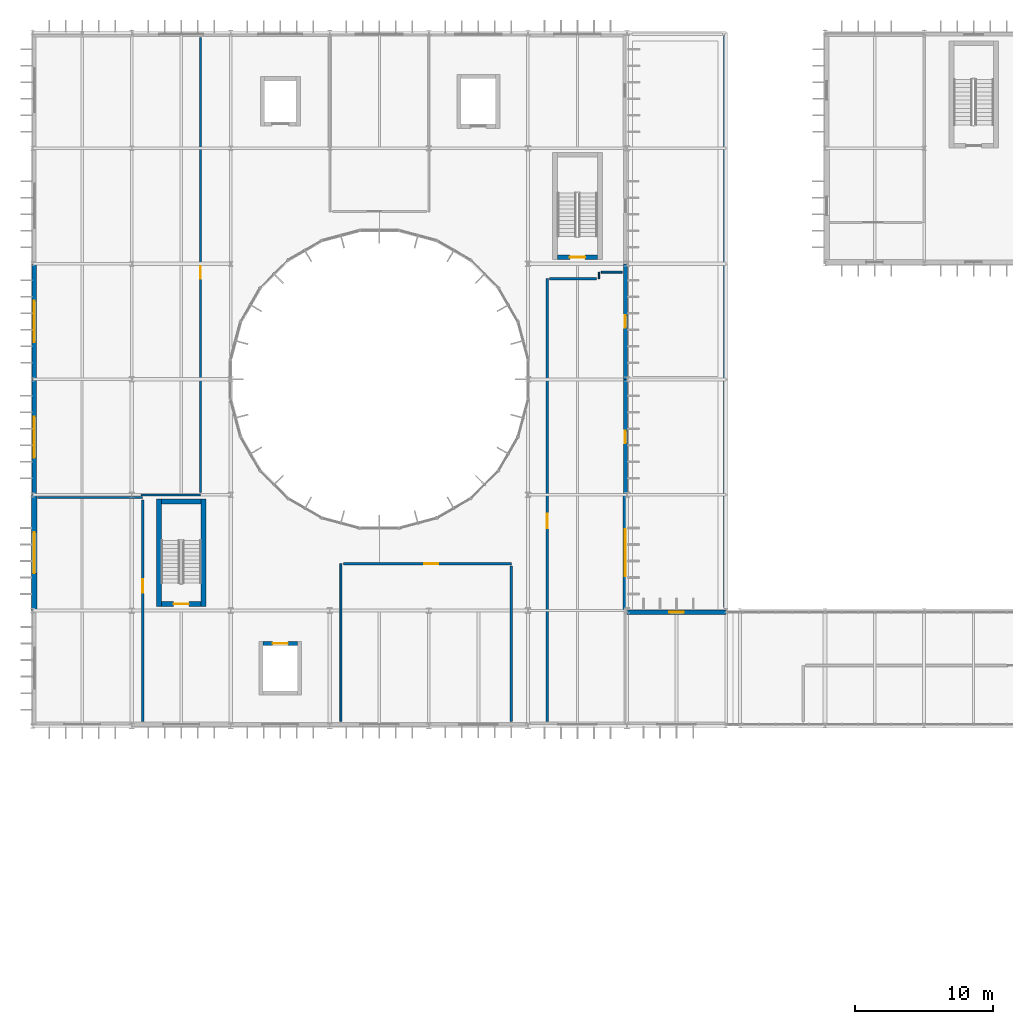
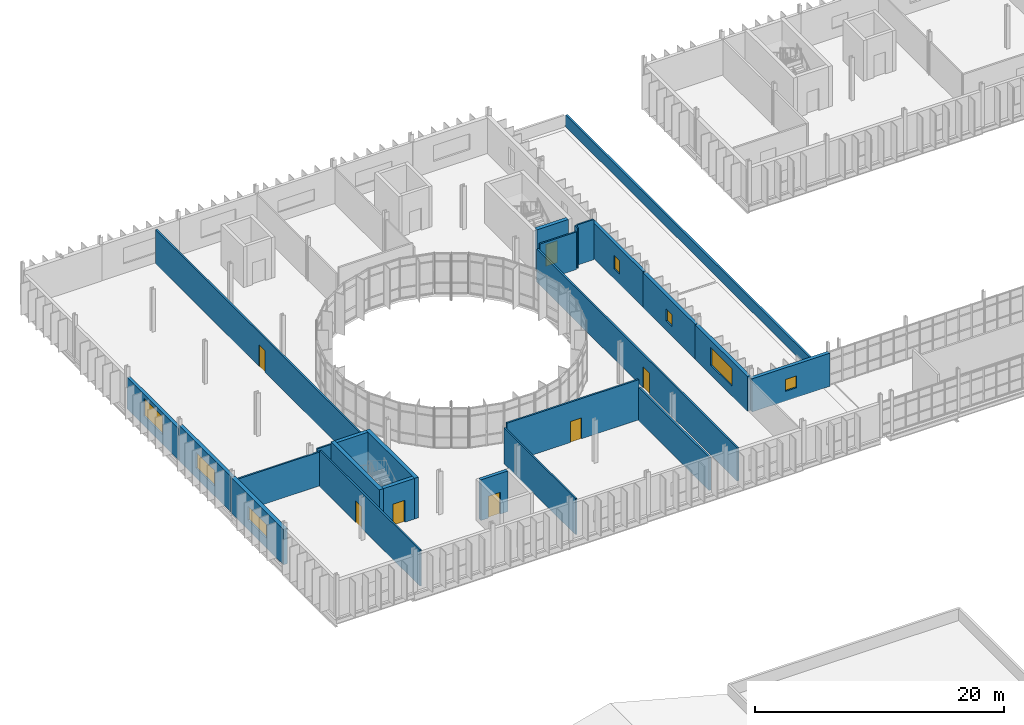
# One storey, part 79 of 99: 25 walls, 7 doors, 7 windows, 14 openings.
"""IFC4 building model written with IfcOpenShell, lengths in metres."""

from ifc_helpers import new_model, si_unit, direction, frame, frame_2d, origin, place, context, subcontext, project, spatial, rectangle, extrude, material, layer, layer_set, type_object, element, fill, save


model = new_model("IFC4")

# Units and contexts
model_context = context("Model", 3, precision=1e-05, world=origin(), true_north=direction((0.0, 1.0)))
body_context = subcontext(model_context, "Body", "Model", "MODEL_VIEW")
ifc_project = project(units=[si_unit("LENGTHUNIT", "METRE"), si_unit("AREAUNIT", "SQUARE_METRE"), si_unit("VOLUMEUNIT", "CUBIC_METRE"), si_unit("PLANEANGLEUNIT", "RADIAN"), si_unit("MASSUNIT", "GRAM", prefix="KILO")], contexts=[model_context])

# Site, building, storey
site_placement = place(None, origin())
site = spatial("IfcSite", under=ifc_project, at=site_placement, CompositionType="ELEMENT")
building_placement = place(site_placement, origin())
building = spatial("IfcBuilding", under=site, at=building_placement, Name="Qelthora Terrace Specialist Clinic", CompositionType="ELEMENT")
storey_placement = place(building_placement, frame((0.0, 0.0, 9.0)))
storey = spatial("IfcBuildingStorey", under=building, at=storey_placement, Name="L02", CompositionType="ELEMENT", Elevation=9.0)

# Wall, opening, door
ifc_material_1 = material(Name="Concrete C40/50", Category="concrete")
ifc_layer_1 = layer(ifc_material_1, 0.300048828125)
ifc_layer_set_1 = layer_set([ifc_layer_1], Name="Concrete C40/50")
wall_type_1 = type_object("IfcWallType", Name="WAL-CORE-300-C40", PredefinedType="SHEAR", material=ifc_layer_set_1)
wall_1_placement = place(storey_placement, frame((16.75, 64.800048828125, 0.0), z_axis=(0.0, 0.0, 1.0), x_axis=(1.0, 0.0, 0.0)))
wall_1 = element("IfcWall", 1, at=wall_1_placement, inside=storey, type_object=wall_type_1, Name="Lift SL-01 L02 north shaft wall", PredefinedType="SHEAR", context=body_context, shape_type="SweptSolid", body=[
    extrude(rectangle(XDim=2.5, YDim=0.300048828125, at=frame_2d((1.25, 0.0))), origin(), (0.0, 0.0, 1.0), 3.989990234375),
])
opening_1_placement = place(wall_1_placement, frame((0.699951171875, 0.0, 0.0)))
opening_1 = element("IfcOpeningElement", 2, at=opening_1_placement, cuts=wall_1, Name="Opening LD-SL-01-L02", PredefinedType="OPENING", context=body_context, shape_type="SweptSolid", body=[
    extrude(rectangle(XDim=1.10009765625, YDim=2.14990234375, at=frame_2d((0.550048828125, 1.074951171875))), frame((0.0, 0.159912109375, 0.0), z_axis=(0.0, -1.0, 0.0), x_axis=(1.0, 0.0, 0.0)), (0.0, 0.0, 1.0), 0.320068359375),
])
ifc_material_2 = material(Name="Steel S355", Category="steel")
door_type_1 = type_object("IfcDoorType", Name="DOR-LIFT-1100X2150", OperationType="NOTDEFINED", PredefinedType="DOOR", material=ifc_material_2)
door_1_placement = place(opening_1_placement, origin())
door_1 = element("IfcDoor", 3, at=door_1_placement, inside=storey, type_object=door_type_1, Name="Lift landing sliding door LD-SL-01-L02", OperationType="DOUBLE_DOOR_SLIDING", OverallHeight=2.14990234375, OverallWidth=1.10009765625, PredefinedType="DOOR", context=body_context, shape_type="SweptSolid", body=[
    extrude(rectangle(XDim=1.10009765625, YDim=2.14990234375, at=frame_2d((0.550048828125, 1.074951171875))), frame((0.0, 0.02490234375, 0.0), z_axis=(0.0, -1.0, 0.0), x_axis=(1.0, 0.0, 0.0)), (0.0, 0.0, 1.0), 0.050048828125),
])
fill(opening_1, door_1)

# Walls
ifc_layer_2 = layer(ifc_material_1, 0.35009765625)
ifc_layer_set_2 = layer_set([ifc_layer_2], Name="Concrete C40/50")
wall_type_2 = type_object("IfcWallType", Name="WAL-CORE-350-C40", PredefinedType="SHEAR", material=ifc_layer_set_2)
for number, where, z_axis, x_axis, name in (
    (4, (9.175048828125, 67.5, 0.0), (0.0, 0.0, 1.0), (0.0, 1.0, 0.0), "ST-01 L02 west shear core wall"),
    (5, (12.425048828125, 67.5, 0.0), (0.0, 0.0, 1.0), (0.0, 1.0, 0.0), "ST-01 L02 east shear core wall"),
):
    element("IfcWall", number, at=place(storey_placement, frame(where, z_axis=z_axis, x_axis=x_axis)), inside=storey, type_object=wall_type_2, Name=name, PredefinedType="SHEAR", context=body_context, shape_type="SweptSolid", body=[
        extrude(rectangle(XDim=7.800048828125, YDim=0.35009765625, at=frame_2d((3.89990234375, 0.0))), origin(), (0.0, 0.0, 1.0), 3.989990234375),
    ])
wall_2_placement = place(storey_placement, frame((9.35009765625, 75.125, 0.0), z_axis=(0.0, 0.0, 1.0), x_axis=(1.0, 0.0, 0.0)))
element("IfcWall", 6, at=wall_2_placement, inside=storey, type_object=wall_type_2, Name="ST-01 L02 north shear core wall", PredefinedType="SHEAR", context=body_context, shape_type="SweptSolid", body=[
    extrude(rectangle(XDim=2.89990234375, YDim=0.35009765625, at=frame_2d((1.449951171875, 0.0))), origin(), (0.0, 0.0, 1.0), 3.989990234375),
])

# Wall, opening, door
wall_3_placement = place(storey_placement, frame((9.35009765625, 67.675048828125, 0.0), z_axis=(0.0, 0.0, 1.0), x_axis=(1.0, 0.0, 0.0)))
wall_3 = element("IfcWall", 7, at=wall_3_placement, inside=storey, type_object=wall_type_2, Name="ST-01 L02 south shear core wall", PredefinedType="SHEAR", context=body_context, shape_type="SweptSolid", body=[
    extrude(rectangle(XDim=2.89990234375, YDim=0.35009765625, at=frame_2d((1.449951171875, 0.0))), origin(), (0.0, 0.0, 1.0), 3.989990234375),
])
opening_2_placement = place(wall_3_placement, frame((0.89990234375, 0.0, 0.0)))
opening_2 = element("IfcOpeningElement", 8, at=opening_2_placement, cuts=wall_3, Name="Opening D-ST-01-L02", PredefinedType="OPENING", context=body_context, shape_type="SweptSolid", body=[
    extrude(rectangle(XDim=1.10009765625, YDim=2.14990234375, at=frame_2d((0.550048828125, 1.074951171875))), frame((0.0, 0.18505859375, 0.0), z_axis=(0.0, -1.0, 0.0), x_axis=(1.0, 0.0, 0.0)), (0.0, 0.0, 1.0), 0.3701171875),
])
door_type_2 = type_object("IfcDoorType", Name="DOR-STAIR-1100X2150", OperationType="NOTDEFINED", PredefinedType="DOOR", material=ifc_material_2)
door_2_placement = place(opening_2_placement, origin())
door_2 = element("IfcDoor", 9, at=door_2_placement, inside=storey, type_object=door_type_2, Name="Stair fire door D-ST-01-L02", OperationType="SINGLE_SWING_LEFT", OverallHeight=2.14990234375, OverallWidth=1.10009765625, PredefinedType="DOOR", context=body_context, shape_type="SweptSolid", body=[
    extrude(rectangle(XDim=1.10009765625, YDim=2.14990234375, at=frame_2d((0.550048828125, 1.074951171875))), frame((0.0, 0.02490234375, 0.0), z_axis=(0.0, -1.0, 0.0), x_axis=(1.0, 0.0, 0.0)), (0.0, 0.0, 1.0), 0.050048828125),
])
fill(opening_2, door_2)

wall_4_placement = place(storey_placement, frame((38.14990234375, 92.875, 0.0), z_axis=(0.0, 0.0, 1.0), x_axis=(1.0, 0.0, 0.0)))
wall_4 = element("IfcWall", 10, at=wall_4_placement, inside=storey, type_object=wall_type_2, Name="ST-02 L02 south shear core wall", PredefinedType="SHEAR", context=body_context, shape_type="SweptSolid", body=[
    extrude(rectangle(XDim=2.900146484375, YDim=0.35009765625, at=frame_2d((1.4501953125, 0.0))), origin(), (0.0, 0.0, 1.0), 3.989990234375),
])
opening_3_placement = place(wall_4_placement, frame((0.89990234375, 0.0, 0.0)))
opening_3 = element("IfcOpeningElement", 11, at=opening_3_placement, cuts=wall_4, Name="Opening D-ST-02-L02", PredefinedType="OPENING", context=body_context, shape_type="SweptSolid", body=[
    extrude(rectangle(XDim=1.10009765625, YDim=2.14990234375, at=frame_2d((0.550048828125, 1.074951171875))), frame((0.0, 0.18505859375, 0.0), z_axis=(0.0, -1.0, 0.0), x_axis=(1.0, 0.0, 0.0)), (0.0, 0.0, 1.0), 0.3701171875),
])
door_3_placement = place(opening_3_placement, origin())
door_3 = element("IfcDoor", 12, at=door_3_placement, inside=storey, type_object=door_type_2, Name="Stair fire door D-ST-02-L02", OperationType="SINGLE_SWING_RIGHT", OverallHeight=2.14990234375, OverallWidth=1.10009765625, PredefinedType="DOOR", context=body_context, shape_type="SweptSolid", body=[
    extrude(rectangle(XDim=1.10009765625, YDim=2.14990234375, at=frame_2d((0.550048828125, 1.074951171875))), frame((0.0, 0.02490234375, 0.0), z_axis=(0.0, -1.0, 0.0), x_axis=(1.0, 0.0, 0.0)), (0.0, 0.0, 1.0), 0.050048828125),
])
fill(opening_3, door_3)

# Wall, opening, window
ifc_material_3 = material(Name="Precast concrete C40/50", Category="concrete")
ifc_layer_3 = layer(ifc_material_3, 0.280029296875)
ifc_layer_set_3 = layer_set([ifc_layer_3], Name="Precast concrete C40/50")
wall_type_3 = type_object("IfcWallType", Name="WAL-EXT-280-PC40", PredefinedType="SOLIDWALL", material=ifc_layer_set_3)
wall_5_placement = place(storey_placement, frame((43.080078125, 84.0, 0.0), z_axis=(0.0, 0.0, 1.0), x_axis=(0.0, 1.0, 0.0)))
wall_5 = element("IfcWall", 13, at=wall_5_placement, inside=storey, type_object=wall_type_3, Name="L02 external precast wall 223", PredefinedType="SOLIDWALL", context=body_context, shape_type="SweptSolid", body=[
    extrude(rectangle(XDim=8.39990234375, YDim=0.280029296875, at=frame_2d((4.199951171875, 0.0))), origin(), (0.0, 0.0, 1.0), 3.47607421875),
])
opening_4_placement = place(wall_5_placement, frame((3.75, 0.0, 0.949951171875)))
opening_4 = element("IfcOpeningElement", 14, at=opening_4_placement, cuts=wall_5, Name="Opening WN-L02-190", PredefinedType="OPENING", context=body_context, shape_type="SweptSolid", body=[
    extrude(rectangle(XDim=0.89990234375, YDim=1.35009765625, at=frame_2d((0.449951171875, 0.675048828125))), frame((0.0, 0.14990234375, 0.0), z_axis=(0.0, -1.0, 0.0), x_axis=(1.0, 0.0, 0.0)), (0.0, 0.0, 1.0), 0.300048828125),
])
ifc_material_4 = material(Name="Low-E triple-silver insulating glass", Category="glass")
window_type_1 = type_object("IfcWindowType", Name="WIN-900X1350", PartitioningType="SINGLE_PANEL", PredefinedType="WINDOW", material=ifc_material_4)
window_1_placement = place(opening_4_placement, origin())
window_1 = element("IfcWindow", 15, at=window_1_placement, inside=storey, type_object=window_type_1, Name="Clinical window WN-L02-190", OverallHeight=1.35009765625, OverallWidth=0.89990234375, PartitioningType="SINGLE_PANEL", PredefinedType="WINDOW", context=body_context, shape_type="SweptSolid", body=[
    extrude(rectangle(XDim=0.89990234375, YDim=1.35009765625, at=frame_2d((0.449951171875, 0.675048828125))), frame((0.0, 0.030029296875, 0.0), z_axis=(0.0, -1.0, 0.0), x_axis=(1.0, 0.0, 0.0)), (0.0, 0.0, 1.0), 0.06005859375),
])
fill(opening_4, window_1)

ifc_layer_4 = layer(ifc_material_3, 0.300048828125)
ifc_layer_set_4 = layer_set([ifc_layer_4], Name="Precast concrete C40/50")
wall_type_4 = type_object("IfcWallType", Name="WAL-EXT-300-PC40", PredefinedType="SOLIDWALL", material=ifc_layer_set_4)
wall_6_placement = place(storey_placement, frame((0.1201171875, 84.0, 0.0), z_axis=(0.0, 0.0, 1.0), x_axis=(0.0, 1.0, 0.0)))
wall_6 = element("IfcWall", 16, at=wall_6_placement, inside=storey, type_object=wall_type_4, Name="L02 external precast wall 212", PredefinedType="SOLIDWALL", context=body_context, shape_type="SweptSolid", body=[
    extrude(rectangle(XDim=8.39990234375, YDim=0.300048828125, at=frame_2d((4.199951171875, 0.0))), origin(), (0.0, 0.0, 1.0), 3.091064453125),
])
opening_5_placement = place(wall_6_placement, frame((2.699951171875, 0.0, 0.949951171875)))
opening_5 = element("IfcOpeningElement", 17, at=opening_5_placement, cuts=wall_6, Name="Opening WN-L02-180", PredefinedType="OPENING", context=body_context, shape_type="SweptSolid", body=[
    extrude(rectangle(XDim=3.0, YDim=1.75, at=frame_2d((1.5, 0.875))), frame((0.0, 0.159912109375, 0.0), z_axis=(0.0, -1.0, 0.0), x_axis=(1.0, 0.0, 0.0)), (0.0, 0.0, 1.0), 0.320068359375),
])
window_type_2 = type_object("IfcWindowType", Name="WIN-3000X1750", PartitioningType="DOUBLE_PANEL_VERTICAL", PredefinedType="WINDOW", material=ifc_material_4)
window_2_placement = place(opening_5_placement, origin())
window_2 = element("IfcWindow", 18, at=window_2_placement, inside=storey, type_object=window_type_2, Name="Clinical window WN-L02-180", OverallHeight=1.75, OverallWidth=3.0, PartitioningType="SINGLE_PANEL", PredefinedType="WINDOW", context=body_context, shape_type="SweptSolid", body=[
    extrude(rectangle(XDim=3.0, YDim=1.75, at=frame_2d((1.5, 0.875))), frame((0.0, 0.030029296875, 0.0), z_axis=(0.0, -1.0, 0.0), x_axis=(1.0, 0.0, 0.0)), (0.0, 0.0, 1.0), 0.06005859375),
])
fill(opening_5, window_2)

wall_7_placement = place(storey_placement, frame((43.080078125, 75.60009765625, 0.0), z_axis=(0.0, 0.0, 1.0), x_axis=(0.0, 1.0, 0.0)))
wall_7 = element("IfcWall", 19, at=wall_7_placement, inside=storey, type_object=wall_type_4, Name="L02 external precast wall 222", PredefinedType="SOLIDWALL", context=body_context, shape_type="SweptSolid", body=[
    extrude(rectangle(XDim=8.39990234375, YDim=0.300048828125, at=frame_2d((4.199951171875, 0.0))), origin(), (0.0, 0.0, 1.0), 3.405029296875),
])
opening_6_placement = place(wall_7_placement, frame((3.75, 0.0, 0.949951171875)))
opening_6 = element("IfcOpeningElement", 20, at=opening_6_placement, cuts=wall_7, Name="Opening WN-L02-189", PredefinedType="OPENING", context=body_context, shape_type="SweptSolid", body=[
    extrude(rectangle(XDim=0.89990234375, YDim=1.14990234375, at=frame_2d((0.449951171875, 0.574951171875))), frame((0.0, 0.159912109375, 0.0), z_axis=(0.0, -1.0, 0.0), x_axis=(1.0, 0.0, 0.0)), (0.0, 0.0, 1.0), 0.320068359375),
])
window_type_3 = type_object("IfcWindowType", Name="WIN-900X1150", PartitioningType="SINGLE_PANEL", PredefinedType="WINDOW", material=ifc_material_4)
window_3_placement = place(opening_6_placement, origin())
window_3 = element("IfcWindow", 21, at=window_3_placement, inside=storey, type_object=window_type_3, Name="Clinical window WN-L02-189", OverallHeight=1.14990234375, OverallWidth=0.89990234375, PartitioningType="SINGLE_PANEL", PredefinedType="WINDOW", context=body_context, shape_type="SweptSolid", body=[
    extrude(rectangle(XDim=0.89990234375, YDim=1.14990234375, at=frame_2d((0.449951171875, 0.574951171875))), frame((0.0, 0.030029296875, 0.0), z_axis=(0.0, -1.0, 0.0), x_axis=(1.0, 0.0, 0.0)), (0.0, 0.0, 1.0), 0.06005859375),
])
fill(opening_6, window_3)

ifc_layer_5 = layer(ifc_material_3, 0.320068359375)
ifc_layer_set_5 = layer_set([ifc_layer_5], Name="Precast concrete C40/50")
wall_type_5 = type_object("IfcWallType", Name="WAL-EXT-320-PC40", PredefinedType="SOLIDWALL", material=ifc_layer_set_5)
wall_8_placement = place(storey_placement, frame((0.1201171875, 75.60009765625, 0.0), z_axis=(0.0, 0.0, 1.0), x_axis=(0.0, 1.0, 0.0)))
wall_8 = element("IfcWall", 22, at=wall_8_placement, inside=storey, type_object=wall_type_5, Name="L02 external precast wall 211", PredefinedType="SOLIDWALL", context=body_context, shape_type="SweptSolid", body=[
    extrude(rectangle(XDim=8.39990234375, YDim=0.320068359375, at=frame_2d((4.199951171875, 0.0))), origin(), (0.0, 0.0, 1.0), 3.48193359375),
])
opening_7_placement = place(wall_8_placement, frame((2.699951171875, 0.0, 0.949951171875)))
opening_7 = element("IfcOpeningElement", 23, at=opening_7_placement, cuts=wall_8, Name="Opening WN-L02-179", PredefinedType="OPENING", context=body_context, shape_type="SweptSolid", body=[
    extrude(rectangle(XDim=3.0, YDim=1.550048828125, at=frame_2d((1.5, 0.77490234375))), frame((0.0, 0.169921875, 0.0), z_axis=(0.0, -1.0, 0.0), x_axis=(1.0, 0.0, 0.0)), (0.0, 0.0, 1.0), 0.340087890625),
])
window_type_4 = type_object("IfcWindowType", Name="WIN-3000X1550", PartitioningType="DOUBLE_PANEL_VERTICAL", PredefinedType="WINDOW", material=ifc_material_4)
window_4_placement = place(opening_7_placement, origin())
window_4 = element("IfcWindow", 24, at=window_4_placement, inside=storey, type_object=window_type_4, Name="Clinical window WN-L02-179", OverallHeight=1.550048828125, OverallWidth=3.0, PartitioningType="SINGLE_PANEL", PredefinedType="WINDOW", context=body_context, shape_type="SweptSolid", body=[
    extrude(rectangle(XDim=3.0, YDim=1.550048828125, at=frame_2d((1.5, 0.77490234375))), frame((0.0, 0.030029296875, 0.0), z_axis=(0.0, -1.0, 0.0), x_axis=(1.0, 0.0, 0.0)), (0.0, 0.0, 1.0), 0.06005859375),
])
fill(opening_7, window_4)

wall_9_placement = place(storey_placement, frame((43.080078125, 67.199951171875, 0.0), z_axis=(0.0, 0.0, 1.0), x_axis=(0.0, 1.0, 0.0)))
wall_9 = element("IfcWall", 25, at=wall_9_placement, inside=storey, type_object=wall_type_5, Name="L02 external precast wall 221", PredefinedType="SOLIDWALL", context=body_context, shape_type="SweptSolid", body=[
    extrude(rectangle(XDim=8.400146484375, YDim=0.320068359375, at=frame_2d((4.2001953125, 0.0))), origin(), (0.0, 0.0, 1.0), 3.39794921875),
])
opening_8_placement = place(wall_9_placement, frame((2.5, 0.0, 0.949951171875)))
opening_8 = element("IfcOpeningElement", 26, at=opening_8_placement, cuts=wall_9, Name="Opening WN-L02-188", PredefinedType="OPENING", context=body_context, shape_type="SweptSolid", body=[
    extrude(rectangle(XDim=3.39990234375, YDim=1.75, at=frame_2d((1.699951171875, 0.875))), frame((0.0, 0.169921875, 0.0), z_axis=(0.0, -1.0, 0.0), x_axis=(1.0, 0.0, 0.0)), (0.0, 0.0, 1.0), 0.340087890625),
])
window_type_5 = type_object("IfcWindowType", Name="WIN-3400X1750", PartitioningType="DOUBLE_PANEL_VERTICAL", PredefinedType="WINDOW", material=ifc_material_4)
window_5_placement = place(opening_8_placement, origin())
window_5 = element("IfcWindow", 27, at=window_5_placement, inside=storey, type_object=window_type_5, Name="Clinical window WN-L02-188", OverallHeight=1.75, OverallWidth=3.39990234375, PartitioningType="SINGLE_PANEL", PredefinedType="WINDOW", context=body_context, shape_type="SweptSolid", body=[
    extrude(rectangle(XDim=3.39990234375, YDim=1.75, at=frame_2d((1.699951171875, 0.875))), frame((0.0, 0.030029296875, 0.0), z_axis=(0.0, -1.0, 0.0), x_axis=(1.0, 0.0, 0.0)), (0.0, 0.0, 1.0), 0.06005859375),
])
fill(opening_8, window_5)

wall_10_placement = place(storey_placement, frame((43.199951171875, 67.080078125, 0.0), z_axis=(0.0, 0.0, 1.0), x_axis=(1.0, 0.0, 0.0)))
wall_10 = element("IfcWall", 28, at=wall_10_placement, inside=storey, type_object=wall_type_5, Name="L02 external precast wall 226", PredefinedType="SOLIDWALL", context=body_context, shape_type="SweptSolid", body=[
    extrude(rectangle(XDim=7.199951171875, YDim=0.320068359375, at=frame_2d((3.60009765625, 0.0))), origin(), (0.0, 0.0, 1.0), 3.25390625),
])
opening_9_placement = place(wall_10_placement, frame((3.074951171875, 0.0, 0.949951171875)))
opening_9 = element("IfcOpeningElement", 29, at=opening_9_placement, cuts=wall_10, Name="Opening WN-L02-193", PredefinedType="OPENING", context=body_context, shape_type="SweptSolid", body=[
    extrude(rectangle(XDim=1.050048828125, YDim=1.14990234375, at=frame_2d((0.52490234375, 0.574951171875))), frame((0.0, 0.169921875, 0.0), z_axis=(0.0, -1.0, 0.0), x_axis=(1.0, 0.0, 0.0)), (0.0, 0.0, 1.0), 0.340087890625),
])
window_type_6 = type_object("IfcWindowType", Name="WIN-1050X1150", PartitioningType="SINGLE_PANEL", PredefinedType="WINDOW", material=ifc_material_4)
window_6_placement = place(opening_9_placement, origin())
window_6 = element("IfcWindow", 30, at=window_6_placement, inside=storey, type_object=window_type_6, Name="Clinical window WN-L02-193", OverallHeight=1.14990234375, OverallWidth=1.050048828125, PartitioningType="SINGLE_PANEL", PredefinedType="WINDOW", context=body_context, shape_type="SweptSolid", body=[
    extrude(rectangle(XDim=1.050048828125, YDim=1.14990234375, at=frame_2d((0.52490234375, 0.574951171875))), frame((0.0, 0.030029296875, 0.0), z_axis=(0.0, -1.0, 0.0), x_axis=(1.0, 0.0, 0.0)), (0.0, 0.0, 1.0), 0.06005859375),
])
fill(opening_9, window_6)

ifc_layer_6 = layer(ifc_material_3, 0.3798828125)
ifc_layer_set_6 = layer_set([ifc_layer_6], Name="Precast concrete C40/50")
wall_type_6 = type_object("IfcWallType", Name="WAL-EXT-380-PC40", PredefinedType="SOLIDWALL", material=ifc_layer_set_6)
wall_11_placement = place(storey_placement, frame((0.1201171875, 67.199951171875, 0.0), z_axis=(0.0, 0.0, 1.0), x_axis=(0.0, 1.0, 0.0)))
wall_11 = element("IfcWall", 31, at=wall_11_placement, inside=storey, type_object=wall_type_6, Name="L02 external precast wall 210", PredefinedType="SOLIDWALL", context=body_context, shape_type="SweptSolid", body=[
    extrude(rectangle(XDim=8.400146484375, YDim=0.3798828125, at=frame_2d((4.2001953125, 0.0))), origin(), (0.0, 0.0, 1.0), 3.47607421875),
])
opening_10_placement = place(wall_11_placement, frame((2.699951171875, 0.0, 0.949951171875)))
opening_10 = element("IfcOpeningElement", 32, at=opening_10_placement, cuts=wall_11, Name="Opening WN-L02-178", PredefinedType="OPENING", context=body_context, shape_type="SweptSolid", body=[
    extrude(rectangle(XDim=3.0, YDim=1.35009765625, at=frame_2d((1.5, 0.675048828125))), frame((0.0, 0.199951171875, 0.0), z_axis=(0.0, -1.0, 0.0), x_axis=(1.0, 0.0, 0.0)), (0.0, 0.0, 1.0), 0.39990234375),
])
window_type_7 = type_object("IfcWindowType", Name="WIN-3000X1350", PartitioningType="DOUBLE_PANEL_VERTICAL", PredefinedType="WINDOW", material=ifc_material_4)
window_7_placement = place(opening_10_placement, origin())
window_7 = element("IfcWindow", 33, at=window_7_placement, inside=storey, type_object=window_type_7, Name="Clinical window WN-L02-178", OverallHeight=1.35009765625, OverallWidth=3.0, PartitioningType="SINGLE_PANEL", PredefinedType="WINDOW", context=body_context, shape_type="SweptSolid", body=[
    extrude(rectangle(XDim=3.0, YDim=1.35009765625, at=frame_2d((1.5, 0.675048828125))), frame((0.0, 0.030029296875, 0.0), z_axis=(0.0, -1.0, 0.0), x_axis=(1.0, 0.0, 0.0)), (0.0, 0.0, 1.0), 0.06005859375),
])
fill(opening_10, window_7)

# Walls
ifc_material_5 = material(Name="Gypsum acoustic wallboard", Category="gypsum")
ifc_layer_7 = layer(ifc_material_5, 0.139892578125)
ifc_layer_set_7 = layer_set([ifc_layer_7], Name="Gypsum acoustic wallboard")
wall_type_7 = type_object("IfcWallType", Name="WAL-INT-ACU-140", PredefinedType="PARTITIONING", material=ifc_layer_set_7)
wall_12_placement = place(storey_placement, frame((41.340087890625, 91.800048828125, 0.0), z_axis=(0.0, 0.0, 1.0), x_axis=(1.0, 0.0, 0.0)))
element("IfcWall", 34, at=wall_12_placement, inside=storey, type_object=wall_type_7, Name="Interior clinical partition IWAL-L02-0299", PredefinedType="PARTITIONING", context=body_context, shape_type="SweptSolid", body=[
    extrude(rectangle(XDim=1.52001953125, YDim=0.139892578125, at=frame_2d((0.760009765625, 0.0))), origin(), (0.0, 0.0, 1.0), 3.945068359375),
])
wall_13_placement = place(storey_placement, frame((22.39990234375, 59.139892578125, 0.0), z_axis=(0.0, 0.0, 1.0), x_axis=(0.0, 1.0, 0.0)))
element("IfcWall", 35, at=wall_13_placement, inside=storey, type_object=wall_type_7, Name="Interior clinical partition IWAL-L02-0303", PredefinedType="PARTITIONING", context=body_context, shape_type="SweptSolid", body=[
    extrude(rectangle(XDim=11.460205078125, YDim=0.139892578125, at=frame_2d((5.72998046875, 0.0))), origin(), (0.0, 0.0, 1.0), 3.534912109375),
])
ifc_material_6 = material(Name="Gypsum fire-rated wallboard", Category="gypsum")
ifc_layer_8 = layer(ifc_material_6, 0.179931640625)
ifc_layer_set_8 = layer_set([ifc_layer_8], Name="Gypsum fire-rated wallboard")
wall_type_8 = type_object("IfcWallType", Name="WAL-INT-CLN-180", PredefinedType="PARTITIONING", material=ifc_layer_set_8)
wall_14_placement = place(storey_placement, frame((34.800048828125, 70.419921875, 0.0), z_axis=(0.0, 0.0, 1.0), x_axis=(0.0, -1.0, 0.0)))
element("IfcWall", 36, at=wall_14_placement, inside=storey, type_object=wall_type_8, Name="Interior clinical partition IWAL-L02-0305", PredefinedType="PARTITIONING", context=body_context, shape_type="SweptSolid", body=[
    extrude(rectangle(XDim=11.280029296875, YDim=0.179931640625, at=frame_2d((5.64013671875, 0.0))), origin(), (0.0, 0.0, 1.0), 3.251953125),
])

# Wall, opening, door
ifc_layer_9 = layer(ifc_material_6, 0.159912109375)
ifc_layer_set_9 = layer_set([ifc_layer_9], Name="Gypsum fire-rated wallboard")
wall_type_9 = type_object("IfcWallType", Name="WAL-INT-COR-160", PredefinedType="PARTITIONING", material=ifc_layer_set_9)
wall_15_placement = place(storey_placement, frame((8.0, 75.219970703125, 0.0), z_axis=(0.0, 0.0, 1.0), x_axis=(0.0, -1.0, 0.0)))
wall_15 = element("IfcWall", 37, at=wall_15_placement, inside=storey, type_object=wall_type_9, Name="Interior clinical partition IWAL-L02-0295", PredefinedType="PARTITIONING", context=body_context, shape_type="SweptSolid", body=[
    extrude(rectangle(XDim=16.080078125, YDim=0.159912109375, at=frame_2d((8.0400390625, 0.0))), origin(), (0.0, 0.0, 1.0), 3.534912109375),
])
opening_11_placement = place(wall_15_placement, frame((5.760009765625, 0.0, 0.0)))
opening_11 = element("IfcOpeningElement", 38, at=opening_11_placement, cuts=wall_15, Name="Opening DI-L02-0117", PredefinedType="OPENING", context=body_context, shape_type="SweptSolid", body=[
    extrude(rectangle(XDim=0.9599609375, YDim=2.10009765625, at=frame_2d((0.47998046875, 1.050048828125))), frame((0.0, 0.08984375, 0.0), z_axis=(0.0, -1.0, 0.0), x_axis=(1.0, 0.0, 0.0)), (0.0, 0.0, 1.0), 0.179931640625),
])
ifc_material_7 = material(Name="Glulam timber GL28h", Category="wood")
door_type_3 = type_object("IfcDoorType", Name="DOR-CON-960X2100", OperationType="NOTDEFINED", PredefinedType="DOOR", material=ifc_material_7)
door_4_placement = place(opening_11_placement, frame((0.9599609375, 0.0, 0.0), z_axis=(0.0, 0.0, 1.0), x_axis=(-1.0, 0.0, 0.0)))
door_4 = element("IfcDoor", 39, at=door_4_placement, inside=storey, type_object=door_type_3, Name="Interior clinical door DI-L02-0117", OperationType="SINGLE_SWING_RIGHT", OverallHeight=2.10009765625, OverallWidth=0.9599609375, PredefinedType="DOOR", context=body_context, shape_type="SweptSolid", body=[
    extrude(rectangle(XDim=0.9599609375, YDim=2.10009765625, at=frame_2d((0.47998046875, 1.050048828125))), frame((0.0, 0.02490234375, 0.0), z_axis=(0.0, -1.0, 0.0), x_axis=(1.0, 0.0, 0.0)), (0.0, 0.0, 1.0), 0.050048828125),
])
fill(opening_11, door_4)

wall_16_placement = place(storey_placement, frame((12.199951171875, 108.860107421875, 0.0), z_axis=(0.0, 0.0, 1.0), x_axis=(0.0, -1.0, 0.0)))
wall_16 = element("IfcWall", 40, at=wall_16_placement, inside=storey, type_object=wall_type_9, Name="Interior clinical partition IWAL-L02-0297", PredefinedType="PARTITIONING", context=body_context, shape_type="SweptSolid", body=[
    extrude(rectangle(XDim=33.080078125, YDim=0.159912109375, at=frame_2d((16.5400390625, 0.0))), origin(), (0.0, 0.0, 1.0), 3.327880859375),
])
opening_12_placement = place(wall_16_placement, frame((16.639892578125, 0.0, 0.0)))
opening_12 = element("IfcOpeningElement", 41, at=opening_12_placement, cuts=wall_16, Name="Opening DI-L02-0118", PredefinedType="OPENING", context=body_context, shape_type="SweptSolid", body=[
    extrude(rectangle(XDim=0.919921875, YDim=2.10009765625, at=frame_2d((0.4599609375, 1.050048828125))), frame((0.0, 0.08984375, 0.0), z_axis=(0.0, -1.0, 0.0), x_axis=(1.0, 0.0, 0.0)), (0.0, 0.0, 1.0), 0.179931640625),
])
door_type_4 = type_object("IfcDoorType", Name="DOR-CON-920X2100", OperationType="NOTDEFINED", PredefinedType="DOOR", material=ifc_material_7)
door_5_placement = place(opening_12_placement, frame((0.919921875, 0.0, 0.0), z_axis=(0.0, 0.0, 1.0), x_axis=(-1.0, 0.0, 0.0)))
door_5 = element("IfcDoor", 42, at=door_5_placement, inside=storey, type_object=door_type_4, Name="Interior clinical door DI-L02-0118", OperationType="SINGLE_SWING_LEFT", OverallHeight=2.10009765625, OverallWidth=0.919921875, PredefinedType="DOOR", context=body_context, shape_type="SweptSolid", body=[
    extrude(rectangle(XDim=0.919921875, YDim=2.10009765625, at=frame_2d((0.4599609375, 1.050048828125))), frame((0.0, 0.02490234375, 0.0), z_axis=(0.0, -1.0, 0.0), x_axis=(1.0, 0.0, 0.0)), (0.0, 0.0, 1.0), 0.050048828125),
])
fill(opening_12, door_5)

wall_17_placement = place(storey_placement, frame((37.39990234375, 59.139892578125, 0.0), z_axis=(0.0, 0.0, 1.0), x_axis=(0.0, 1.0, 0.0)))
wall_17 = element("IfcWall", 43, at=wall_17_placement, inside=storey, type_object=wall_type_9, Name="Interior clinical partition IWAL-L02-0301", PredefinedType="PARTITIONING", context=body_context, shape_type="SweptSolid", body=[
    extrude(rectangle(XDim=32.175048828125, YDim=0.159912109375, at=frame_2d((16.08740234375, 0.0))), origin(), (0.0, 0.0, 1.0), 3.251953125),
])
opening_13_placement = place(wall_17_placement, frame((14.027587890625, 0.0, 0.0)))
opening_13 = element("IfcOpeningElement", 44, at=opening_13_placement, cuts=wall_17, Name="Opening DI-L02-0119", PredefinedType="OPENING", context=body_context, shape_type="SweptSolid", body=[
    extrude(rectangle(XDim=1.06005859375, YDim=2.050048828125, at=frame_2d((0.530029296875, 1.02490234375))), frame((0.0, 0.08984375, 0.0), z_axis=(0.0, -1.0, 0.0), x_axis=(1.0, 0.0, 0.0)), (0.0, 0.0, 1.0), 0.179931640625),
])
door_type_5 = type_object("IfcDoorType", Name="DOR-CON-1060X2050", OperationType="NOTDEFINED", PredefinedType="DOOR", material=ifc_material_7)
door_6_placement = place(opening_13_placement, frame((1.06005859375, 0.0, 0.0), z_axis=(0.0, 0.0, 1.0), x_axis=(-1.0, 0.0, 0.0)))
door_6 = element("IfcDoor", 45, at=door_6_placement, inside=storey, type_object=door_type_5, Name="Interior clinical door DI-L02-0119", OperationType="SINGLE_SWING_RIGHT", OverallHeight=2.050048828125, OverallWidth=1.06005859375, PredefinedType="DOOR", context=body_context, shape_type="SweptSolid", body=[
    extrude(rectangle(XDim=1.06005859375, YDim=2.050048828125, at=frame_2d((0.530029296875, 1.02490234375))), frame((0.0, 0.02490234375, 0.0), z_axis=(0.0, -1.0, 0.0), x_axis=(1.0, 0.0, 0.0)), (0.0, 0.0, 1.0), 0.050048828125),
])
fill(opening_13, door_6)

wall_18_placement = place(storey_placement, frame((22.580078125, 70.60009765625, 0.0), z_axis=(0.0, 0.0, 1.0), x_axis=(1.0, 0.0, 0.0)))
wall_18 = element("IfcWall", 46, at=wall_18_placement, inside=storey, type_object=wall_type_9, Name="Interior clinical partition IWAL-L02-0304", PredefinedType="PARTITIONING", context=body_context, shape_type="SweptSolid", body=[
    extrude(rectangle(XDim=12.219970703125, YDim=0.159912109375, at=frame_2d((6.10986328125, 0.0))), origin(), (0.0, 0.0, 1.0), 3.945068359375),
])
opening_14_placement = place(wall_18_placement, frame((5.8701171875, 0.0, 0.0)))
opening_14 = element("IfcOpeningElement", 47, at=opening_14_placement, cuts=wall_18, Name="Opening DI-L02-0120", PredefinedType="OPENING", context=body_context, shape_type="SweptSolid", body=[
    extrude(rectangle(XDim=1.02001953125, YDim=2.050048828125, at=frame_2d((0.510009765625, 1.02490234375))), frame((0.0, 0.08984375, 0.0), z_axis=(0.0, -1.0, 0.0), x_axis=(1.0, 0.0, 0.0)), (0.0, 0.0, 1.0), 0.179931640625),
])
door_type_6 = type_object("IfcDoorType", Name="DOR-CON-1020X2050", OperationType="NOTDEFINED", PredefinedType="DOOR", material=ifc_material_7)
door_7_placement = place(opening_14_placement, frame((1.02001953125, 0.0, 0.0), z_axis=(0.0, 0.0, 1.0), x_axis=(-1.0, 0.0, 0.0)))
door_7 = element("IfcDoor", 48, at=door_7_placement, inside=storey, type_object=door_type_6, Name="Interior clinical door DI-L02-0120", OperationType="SINGLE_SWING_LEFT", OverallHeight=2.050048828125, OverallWidth=1.02001953125, PredefinedType="DOOR", context=body_context, shape_type="SweptSolid", body=[
    extrude(rectangle(XDim=1.02001953125, YDim=2.050048828125, at=frame_2d((0.510009765625, 1.02490234375))), frame((0.0, 0.02490234375, 0.0), z_axis=(0.0, -1.0, 0.0), x_axis=(1.0, 0.0, 0.0)), (0.0, 0.0, 1.0), 0.050048828125),
])
fill(opening_14, door_7)

# Walls
ifc_layer_10 = layer(ifc_material_5, 0.10009765625)
ifc_layer_set_10 = layer_set([ifc_layer_10], Name="Gypsum acoustic wallboard")
wall_type_10 = type_object("IfcWallType", Name="WAL-INT-LGT-100", PredefinedType="PARTITIONING", material=ifc_layer_set_10)
wall_19_placement = place(storey_placement, frame((41.159912109375, 91.31494140625, 0.0), z_axis=(0.0, 0.0, 1.0), x_axis=(0.0, 1.0, 0.0)))
element("IfcWall", 49, at=wall_19_placement, inside=storey, type_object=wall_type_10, Name="Interior clinical partition IWAL-L02-0298", PredefinedType="PARTITIONING", context=body_context, shape_type="SweptSolid", body=[
    extrude(rectangle(XDim=0.485107421875, YDim=0.10009765625, at=frame_2d((0.24267578125, 0.0))), origin(), (0.0, 0.0, 1.0), 3.945068359375),
])
ifc_material_8 = material(Name="Gypsum moisture-resistant", Category="gypsum")
ifc_layer_11 = layer(ifc_material_8, 0.14990234375)
ifc_layer_set_11 = layer_set([ifc_layer_11], Name="Gypsum moisture-resistant")
wall_type_11 = type_object("IfcWallType", Name="WAL-INT-WET-150", PredefinedType="PLUMBINGWALL", material=ifc_layer_set_11)
wall_20_placement = place(storey_placement, frame((0.340087890625, 75.39990234375, 0.0), z_axis=(0.0, 0.0, 1.0), x_axis=(1.0, 0.0, 0.0)))
element("IfcWall", 50, at=wall_20_placement, inside=storey, type_object=wall_type_11, Name="Interior clinical partition IWAL-L02-0294", PredefinedType="PLUMBINGWALL", context=body_context, shape_type="SweptSolid", body=[
    extrude(rectangle(XDim=7.659912109375, YDim=0.14990234375, at=frame_2d((3.830078125, 0.0))), origin(), (0.0, 0.0, 1.0), 3.327880859375),
])
wall_21_placement = place(storey_placement, frame((12.199951171875, 75.60009765625, 0.0), z_axis=(0.0, 0.0, 1.0), x_axis=(-1.0, 0.0, 0.0)))
element("IfcWall", 51, at=wall_21_placement, inside=storey, type_object=wall_type_11, Name="Interior clinical partition IWAL-L02-0296", PredefinedType="PLUMBINGWALL", context=body_context, shape_type="SweptSolid", body=[
    extrude(rectangle(XDim=4.33984375, YDim=0.14990234375, at=frame_2d((2.169921875, 0.0))), origin(), (0.0, 0.0, 1.0), 3.534912109375),
])
wall_22_placement = place(storey_placement, frame((37.580078125, 91.31494140625, 0.0), z_axis=(0.0, 0.0, 1.0), x_axis=(1.0, 0.0, 0.0)))
element("IfcWall", 52, at=wall_22_placement, inside=storey, type_object=wall_type_11, Name="Interior clinical partition IWAL-L02-0302", PredefinedType="PLUMBINGWALL", context=body_context, shape_type="SweptSolid", body=[
    extrude(rectangle(XDim=3.39990234375, YDim=0.14990234375, at=frame_2d((1.699951171875, 0.0))), origin(), (0.0, 0.0, 1.0), 3.68310546875),
])
ifc_layer_12 = layer(ifc_material_3, 0.18994140625)
ifc_layer_set_12 = layer_set([ifc_layer_12], Name="Precast concrete C40/50")
wall_type_12 = type_object("IfcWallType", Name="WAL-PAR-190-PC40", PredefinedType="PARAPET", material=ifc_layer_set_12)
wall_23_placement = place(storey_placement, frame((50.2900390625, 108.97998046875, 0.0), z_axis=(0.0, 0.0, 1.0), x_axis=(0.0, -1.0, 0.0)))
element("IfcWall", 53, at=wall_23_placement, inside=storey, type_object=wall_type_12, Name="Roof perimeter parapet ROOF-V5-STP2-1-1", PredefinedType="PARAPET", context=body_context, shape_type="SweptSolid", body=[
    extrude(rectangle(XDim=41.56005859375, YDim=0.18994140625, at=frame_2d((20.780029296875, 0.0))), origin(), (0.0, 0.0, 1.0), 1.14990234375),
])

save(model, "model.ifc")
